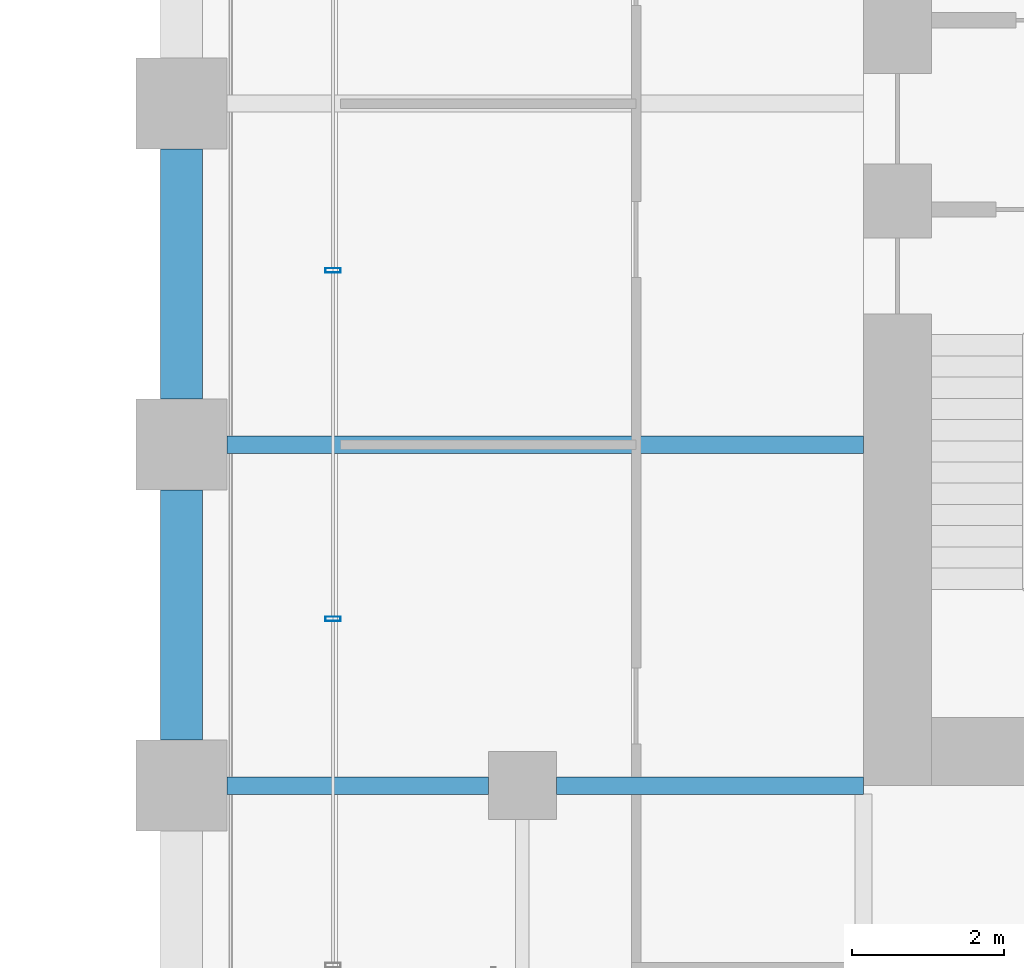
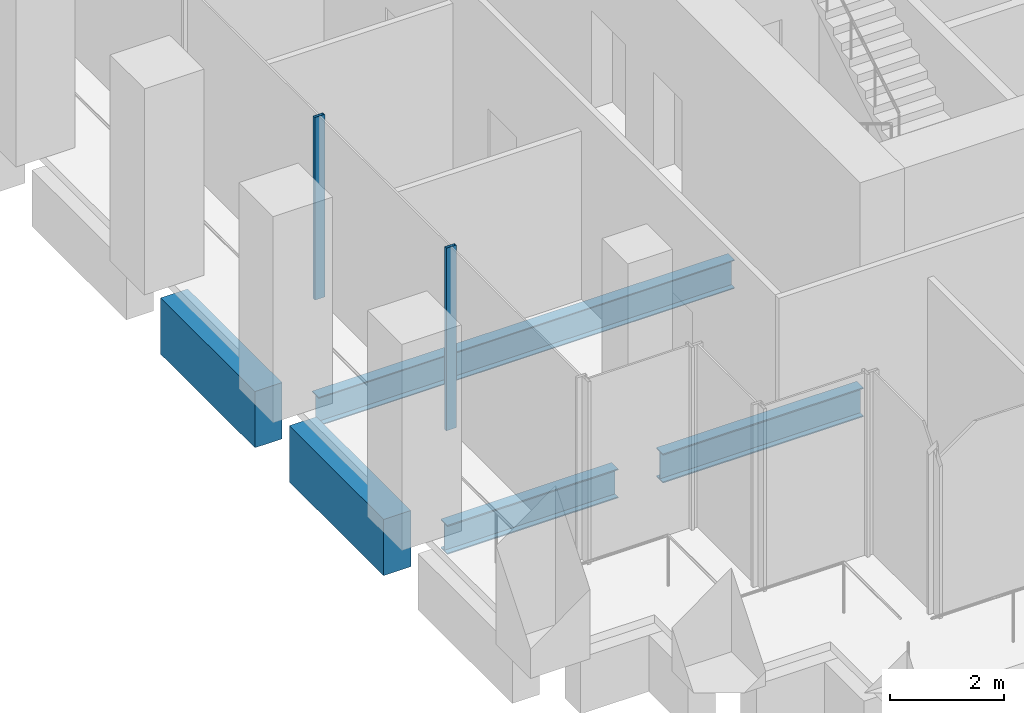
# One storey, part 20 of 36: 5 beams, 2 members, 1 element without a shape of its own.
"""IFC4 building model written with IfcOpenShell, lengths in metres."""

from ifc_helpers import new_model, si_unit, direction, frame, origin, origin_2d, place, context, subcontext, project, spatial, rectangle, hollow_rectangle, i_section, extrude, material, material_profile, profile_set, type_object, element, aggregate, save


model = new_model("IFC4")

# Units and contexts
model_context = context("Model", 3, precision=1e-05, world=origin(), true_north=direction((0.0, 1.0)))
body_context = subcontext(model_context, "Body", "Model", "MODEL_VIEW")
ifc_project = project(units=[si_unit("LENGTHUNIT", "METRE"), si_unit("AREAUNIT", "SQUARE_METRE"), si_unit("VOLUMEUNIT", "CUBIC_METRE"), si_unit("PLANEANGLEUNIT", "RADIAN"), si_unit("MASSUNIT", "GRAM", prefix="KILO")], contexts=[model_context])

# Site, building, storey
site_placement = place(None, origin())
site = spatial("IfcSite", under=ifc_project, at=site_placement, CompositionType="ELEMENT")
building_placement = place(site_placement, origin())
building = spatial("IfcBuilding", under=site, at=building_placement, Name="Altepetl Exchange Towers", CompositionType="ELEMENT")
storey_placement = place(building_placement, frame((0.0, 0.0, 38.60009765625)))
storey = spatial("IfcBuildingStorey", under=building, at=storey_placement, Name="L08", CompositionType="ELEMENT", Elevation=38.60009765625)

# Beams
ifc_material_1 = material(Name="Steel S355", Category="steel")
ifc_material_profile_1 = material_profile(ifc_material_1, i_section(OverallWidth=0.22900390625, OverallDepth=0.612060546875, WebThickness=0.011962890625, FlangeThickness=0.01953125, at=origin_2d()), Name="W24X84")
ifc_profile_set_1 = profile_set([ifc_material_profile_1], Name="Steel S355")
beam_type_1 = type_object("IfcBeamType", Name="Floor beam W24X84", PredefinedType="BEAM", material=ifc_profile_set_1)
beam_1_placement = place(storey_placement, frame((95.10009765625, 40.5, -0.481201171875), z_axis=(1.0, 0.0, 0.0), x_axis=(0.0, 1.0, 0.0)))
element("IfcBeam", 1, at=beam_1_placement, inside=storey, type_object=beam_type_1, Name="bm:B:L08:012", PredefinedType="BEAM", context=body_context, shape_type="SweptSolid", body=[
    extrude(i_section(OverallWidth=0.22900390625, OverallDepth=0.612060546875, WebThickness=0.011962890625, FlangeThickness=0.01953125, at=origin_2d()), origin(), (0.0, 0.0, 1.0), 8.39990234375),
])
ifc_material_profile_2 = material_profile(ifc_material_1, i_section(OverallWidth=0.22900390625, OverallDepth=0.623046875, WebThickness=0.013916015625, FlangeThickness=0.02490234375, at=origin_2d()), Name="W24X103")
ifc_profile_set_2 = profile_set([ifc_material_profile_2], Name="Steel S355")
beam_type_2 = type_object("IfcBeamType", Name="Girder W24X103", PredefinedType="BEAM", material=ifc_profile_set_2)
beam_2_placement = place(storey_placement, frame((103.5, 36.0, -0.486572265625), z_axis=(-1.0, 0.0, 0.0), x_axis=(0.0, -1.0, 0.0)))
element("IfcBeam", 2, at=beam_2_placement, inside=storey, type_object=beam_type_2, Name="gd:B:L08:006", PredefinedType="BEAM", context=body_context, shape_type="SweptSolid", body=[
    extrude(i_section(OverallWidth=0.22900390625, OverallDepth=0.623046875, WebThickness=0.013916015625, FlangeThickness=0.02490234375, at=origin_2d()), origin(), (0.0, 0.0, 1.0), 4.050048828125),
])
beam_3_placement = place(storey_placement, frame((98.550048828125, 36.0, -0.486572265625), z_axis=(-1.0, 0.0, 0.0), x_axis=(0.0, -1.0, 0.0)))
element("IfcBeam", 3, at=beam_3_placement, inside=storey, type_object=beam_type_2, Name="gd:B:L08:007", PredefinedType="BEAM", context=body_context, shape_type="SweptSolid", body=[
    extrude(i_section(OverallWidth=0.22900390625, OverallDepth=0.623046875, WebThickness=0.013916015625, FlangeThickness=0.02490234375, at=origin_2d()), origin(), (0.0, 0.0, 1.0), 3.449951171875),
])

# Curtain wall, members
ifc_material_2 = material(Name="Aluminium 6063-T6 glazing", Category="aluminium")
curtain_wall_type = type_object("IfcCurtainWallType", Name="Trading floor glazing system", PredefinedType="NOTDEFINED", material=ifc_material_2)
curtain_wall_placement = place(storey_placement, origin())
curtain_wall = element("IfcCurtainWall", 4, at=curtain_wall_placement, inside=storey, type_object=curtain_wall_type, Name="CW2 run", PredefinedType="NOTDEFINED")
ifc_material_3 = material(Name="Aluminium 6063-T6", Category="aluminium")
ifc_material_profile_3 = material_profile(ifc_material_3, hollow_rectangle(XDim=0.06005859375, YDim=0.199951171875, WallThickness=0.0029296875, at=origin_2d()), Name="Mullion 60x200 aluminium")
ifc_profile_set_3 = profile_set([ifc_material_profile_3], Name="Aluminium 6063-T6")
member_type = type_object("IfcMemberType", Name="Mullion 60x200 aluminium", PredefinedType="MULLION", material=ifc_profile_set_3)
member_1_placement = place(storey_placement, frame((96.5, 42.800048828125, 0.0), z_axis=(0.0, 0.0, 1.0), x_axis=(0.0, -1.0, 0.0)))
member_1 = element("IfcMember", 5, at=member_1_placement, type_object=member_type, Name="MU2 mullion", PredefinedType="MULLION", context=body_context, shape_type="SweptSolid", body=[
    extrude(hollow_rectangle(XDim=0.06005859375, YDim=0.199951171875, WallThickness=0.0029296875, at=origin_2d()), origin(), (0.0, 0.0, 1.0), 3.89990234375),
])
member_2_placement = place(storey_placement, frame((96.5, 38.199951171875, 0.0), z_axis=(0.0, 0.0, 1.0), x_axis=(0.0, -1.0, 0.0)))
member_2 = element("IfcMember", 6, at=member_2_placement, type_object=member_type, Name="MU2 mullion", PredefinedType="MULLION", context=body_context, shape_type="SweptSolid", body=[
    extrude(hollow_rectangle(XDim=0.06005859375, YDim=0.199951171875, WallThickness=0.0029296875, at=origin_2d()), origin(), (0.0, 0.0, 1.0), 3.89990234375),
])
aggregate(curtain_wall, [member_1, member_2])

# Beams
ifc_material_4 = material(Name="Concrete C50/60 precast with cantera rosa facing", Category="concrete")
ifc_material_profile_4 = material_profile(ifc_material_4, rectangle(XDim=0.550048828125, YDim=1.199951171875, at=origin_2d()), Name="550 x 1200")
ifc_profile_set_4 = profile_set([ifc_material_profile_4], Name="Concrete C50/60 precast with cantera rosa facing")
beam_type_3 = type_object("IfcBeamType", Name="Spandrel beam 550x1200 cantera rosa", PredefinedType="SPANDREL", material=ifc_profile_set_4)
for number, where, z_axis, x_axis, name in (
    (7, (94.5, 44.39990234375, -0.775146484375), (0.0, -1.0, 0.0), (1.0, 0.0, 0.0), "sp:B:L08:029"),
    (8, (94.5, 39.89990234375, -0.775146484375), (0.0, -1.0, 0.0), (1.0, 0.0, 0.0), "sp:B:L08:030"),
):
    element("IfcBeam", number, at=place(storey_placement, frame(where, z_axis=z_axis, x_axis=x_axis)), inside=storey, type_object=beam_type_3, Name=name, PredefinedType="SPANDREL", context=body_context, shape_type="SweptSolid", body=[
        extrude(rectangle(XDim=0.550048828125, YDim=1.199951171875, at=origin_2d()), origin(), (0.0, 0.0, 1.0), 3.2998046875),
    ])

save(model, "model.ifc")
